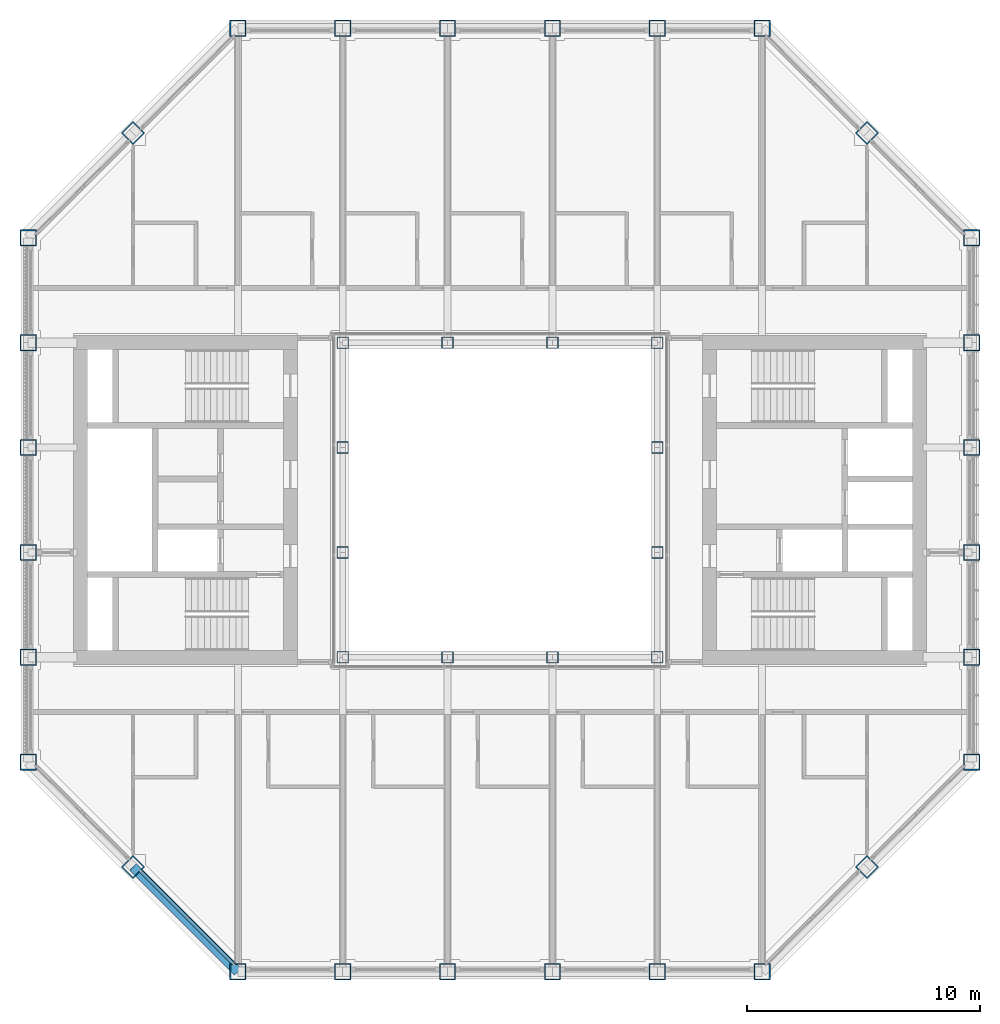
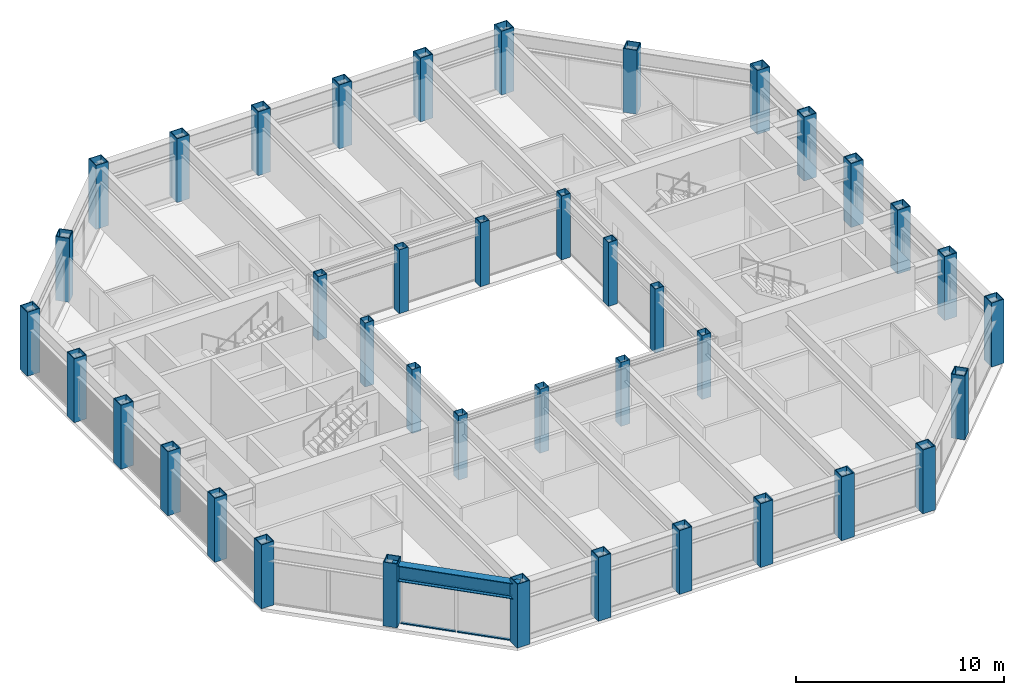
# One storey, part 1 of 18: 40 columns, 4 members, 1 beam, 1 element without a shape of its own.
"""IFC4 building model written with IfcOpenShell, lengths in metres."""

from ifc_helpers import new_model, si_unit, direction, frame, origin, origin_2d, place, context, subcontext, project, spatial, rectangle, hollow_rectangle, i_section, extrude, material, material_profile, profile_set, type_object, element, aggregate, save


model = new_model("IFC4")

# Units and contexts
model_context = context("Model", 3, precision=1e-05, world=origin(), true_north=direction((0.0, 1.0)))
body_context = subcontext(model_context, "Body", "Model", "MODEL_VIEW")
ifc_project = project(units=[si_unit("LENGTHUNIT", "METRE"), si_unit("AREAUNIT", "SQUARE_METRE"), si_unit("VOLUMEUNIT", "CUBIC_METRE"), si_unit("PLANEANGLEUNIT", "RADIAN"), si_unit("MASSUNIT", "GRAM", prefix="KILO")], contexts=[model_context])

# Site, building, storey
site_placement = place(None, origin())
site = spatial("IfcSite", under=ifc_project, at=site_placement, CompositionType="ELEMENT")
building_placement = place(site_placement, origin())
building = spatial("IfcBuilding", under=site, at=building_placement, Name="Msasa Ring Tower", CompositionType="ELEMENT")
storey_placement = place(building_placement, frame((0.0, 0.0, 204.550048828125)))
storey = spatial("IfcBuildingStorey", under=building, at=storey_placement, Name="L53", CompositionType="ELEMENT", Elevation=204.550048828125)

# Columns
ifc_material_1 = material(Name="Steel S355", Category="steel")
ifc_material_profile_1 = material_profile(ifc_material_1, hollow_rectangle(XDim=0.5, YDim=0.5, WallThickness=0.030029296875, at=origin_2d()), Name="BOX 500x500x30")
ifc_profile_set_1 = profile_set([ifc_material_profile_1], Name="Steel S355")
column_type_1 = type_object("IfcColumnType", Name="IC6 BOX 500x500x30", PredefinedType="COLUMN", material=ifc_profile_set_1)
for number, where, z_axis, x_axis, name in (
    (1, (-6.75, -6.75, 0.0), (0.0, 0.0, 1.0), (1.0, 0.0, 0.0), "Inner ring column IR-6.75-6.75 L53"),
    (2, (-6.75, -2.25, 0.0), (0.0, 0.0, 1.0), (1.0, 0.0, 0.0), "Inner ring column IR-6.75-2.25 L53"),
    (3, (-6.75, 2.25, 0.0), (0.0, 0.0, 1.0), (1.0, 0.0, 0.0), "Inner ring column IR-6.75+2.25 L53"),
    (4, (-6.75, 6.75, 0.0), (0.0, 0.0, 1.0), (1.0, 0.0, 0.0), "Inner ring column IR-6.75+6.75 L53"),
    (5, (-2.25, -6.75, 0.0), (0.0, 0.0, 1.0), (1.0, 0.0, 0.0), "Inner ring column IR-2.25-6.75 L53"),
    (6, (-2.25, 6.75, 0.0), (0.0, 0.0, 1.0), (1.0, 0.0, 0.0), "Inner ring column IR-2.25+6.75 L53"),
    (7, (2.25, -6.75, 0.0), (0.0, 0.0, 1.0), (1.0, 0.0, 0.0), "Inner ring column IR+2.25-6.75 L53"),
    (8, (2.25, 6.75, 0.0), (0.0, 0.0, 1.0), (1.0, 0.0, 0.0), "Inner ring column IR+2.25+6.75 L53"),
    (9, (6.75, -6.75, 0.0), (0.0, 0.0, 1.0), (1.0, 0.0, 0.0), "Inner ring column IR+6.75-6.75 L53"),
    (10, (6.75, -2.25, 0.0), (0.0, 0.0, 1.0), (1.0, 0.0, 0.0), "Inner ring column IR+6.75-2.25 L53"),
    (11, (6.75, 2.25, 0.0), (0.0, 0.0, 1.0), (1.0, 0.0, 0.0), "Inner ring column IR+6.75+2.25 L53"),
    (12, (6.75, 6.75, 0.0), (0.0, 0.0, 1.0), (1.0, 0.0, 0.0), "Inner ring column IR+6.75+6.75 L53"),
):
    element("IfcColumn", number, at=place(storey_placement, frame(where, z_axis=z_axis, x_axis=x_axis)), inside=storey, type_object=column_type_1, Name=name, PredefinedType="COLUMN", context=body_context, shape_type="SweptSolid", body=[
        extrude(hollow_rectangle(XDim=0.5, YDim=0.5, WallThickness=0.030029296875, at=origin_2d()), origin(), (0.0, 0.0, 1.0), 3.75),
    ])
ifc_material_2 = material(Name="Steel S355", Category="steel")
ifc_material_profile_2 = material_profile(ifc_material_2, hollow_rectangle(XDim=0.699951171875, YDim=0.699951171875, WallThickness=0.044921875, at=origin_2d()), Name="BOX 700x700x45")
ifc_profile_set_2 = profile_set([ifc_material_profile_2], Name="Steel S355")
column_type_2 = type_object("IfcColumnType", Name="TC6 BOX 700x700x45", PredefinedType="COLUMN", material=ifc_profile_set_2)
for number, where, z_axis, x_axis, name in (
    (13, (-11.25, -20.25, 0.0), (0.0, 0.0, 1.0), (0.0, 1.0, 0.0), "Tube column S-11.25 L53"),
    (14, (-11.25, 20.25, 0.0), (0.0, 0.0, 1.0), (0.0, 1.0, 0.0), "Tube column N-11.25 L53"),
    (15, (20.25, -11.25, 0.0), (0.0, 0.0, 1.0), (1.0, 0.0, 0.0), "Tube column E-11.25 L53"),
    (16, (-20.25, -11.25, 0.0), (0.0, 0.0, 1.0), (1.0, 0.0, 0.0), "Tube column W-11.25 L53"),
    (17, (-6.75, -20.25, 0.0), (0.0, 0.0, 1.0), (0.0, 1.0, 0.0), "Tube column S-6.75 L53"),
    (18, (-6.75, 20.25, 0.0), (0.0, 0.0, 1.0), (0.0, 1.0, 0.0), "Tube column N-6.75 L53"),
    (19, (20.25, -6.75, 0.0), (0.0, 0.0, 1.0), (1.0, 0.0, 0.0), "Tube column E-6.75 L53"),
    (20, (-20.25, -6.75, 0.0), (0.0, 0.0, 1.0), (1.0, 0.0, 0.0), "Tube column W-6.75 L53"),
    (21, (-2.25, -20.25, 0.0), (0.0, 0.0, 1.0), (0.0, 1.0, 0.0), "Tube column S-2.25 L53"),
    (22, (-2.25, 20.25, 0.0), (0.0, 0.0, 1.0), (0.0, 1.0, 0.0), "Tube column N-2.25 L53"),
    (23, (20.25, -2.25, 0.0), (0.0, 0.0, 1.0), (1.0, 0.0, 0.0), "Tube column E-2.25 L53"),
    (24, (-20.25, -2.25, 0.0), (0.0, 0.0, 1.0), (1.0, 0.0, 0.0), "Tube column W-2.25 L53"),
    (25, (2.25, -20.25, 0.0), (0.0, 0.0, 1.0), (0.0, 1.0, 0.0), "Tube column S+2.25 L53"),
    (26, (2.25, 20.25, 0.0), (0.0, 0.0, 1.0), (0.0, 1.0, 0.0), "Tube column N+2.25 L53"),
    (27, (20.25, 2.25, 0.0), (0.0, 0.0, 1.0), (1.0, 0.0, 0.0), "Tube column E+2.25 L53"),
    (28, (-20.25, 2.25, 0.0), (0.0, 0.0, 1.0), (1.0, 0.0, 0.0), "Tube column W+2.25 L53"),
    (29, (6.75, -20.25, 0.0), (0.0, 0.0, 1.0), (0.0, 1.0, 0.0), "Tube column S+6.75 L53"),
    (30, (6.75, 20.25, 0.0), (0.0, 0.0, 1.0), (0.0, 1.0, 0.0), "Tube column N+6.75 L53"),
    (31, (20.25, 6.75, 0.0), (0.0, 0.0, 1.0), (1.0, 0.0, 0.0), "Tube column E+6.75 L53"),
    (32, (-20.25, 6.75, 0.0), (0.0, 0.0, 1.0), (1.0, 0.0, 0.0), "Tube column W+6.75 L53"),
    (33, (11.25, -20.25, 0.0), (0.0, 0.0, 1.0), (0.0, 1.0, 0.0), "Tube column S+11.25 L53"),
    (34, (11.25, 20.25, 0.0), (0.0, 0.0, 1.0), (0.0, 1.0, 0.0), "Tube column N+11.25 L53"),
    (35, (20.25, 11.25, 0.0), (0.0, 0.0, 1.0), (1.0, 0.0, 0.0), "Tube column E+11.25 L53"),
    (36, (-20.25, 11.25, 0.0), (0.0, 0.0, 1.0), (1.0, 0.0, 0.0), "Tube column W+11.25 L53"),
    (37, (15.75, -15.75, 0.0), (0.0, 0.0, 1.0), (0.707106781187, -0.707106781187, 0.0), "Tube column SE L53"),
    (38, (15.75, 15.75, 0.0), (0.0, 0.0, 1.0), (0.707106781187, 0.707106781187, 0.0), "Tube column NE L53"),
    (39, (-15.75, 15.75, 0.0), (0.0, 0.0, 1.0), (0.707106781187, -0.707106781187, 0.0), "Tube column NW L53"),
    (40, (-15.75, -15.75, 0.0), (0.0, 0.0, 1.0), (0.707106781187, 0.707106781187, 0.0), "Tube column SW L53"),
):
    element("IfcColumn", number, at=place(storey_placement, frame(where, z_axis=z_axis, x_axis=x_axis)), inside=storey, type_object=column_type_2, Name=name, PredefinedType="COLUMN", context=body_context, shape_type="SweptSolid", body=[
        extrude(hollow_rectangle(XDim=0.699951171875, YDim=0.699951171875, WallThickness=0.044921875, at=origin_2d()), origin(), (0.0, 0.0, 1.0), 3.75),
    ])

# Curtain wall, members
ifc_material_3 = material(Name="Aluminium curtain wall with clear glass", Category="aluminium")
curtain_wall_type = type_object("IfcCurtainWallType", Name="CW-C CHAMFER CORNER CURTAIN WALL", PredefinedType="NOTDEFINED", material=ifc_material_3)
curtain_wall_placement = place(storey_placement, origin())
curtain_wall = element("IfcCurtainWall", 41, at=curtain_wall_placement, inside=storey, type_object=curtain_wall_type, Name="Chamfer corner curtain wall SW L53", PredefinedType="NOTDEFINED")
ifc_material_4 = material(Name="Aluminium transom", Category="aluminium")
ifc_material_profile_3 = material_profile(ifc_material_4, rectangle(XDim=0.139892578125, YDim=0.06494140625, at=origin_2d()), Name="AL 65x140")
ifc_profile_set_3 = profile_set([ifc_material_profile_3], Name="Aluminium transom")
member_type = type_object("IfcMemberType", Name="CW-C TRANSOM 65x140", PredefinedType="USERDEFINED", material=ifc_profile_set_3)
member_1_placement = place(storey_placement, frame((-15.38232421875, -15.976318359375, 0.032470703125), z_axis=(0.707106781187, -0.707106781187, 0.0), x_axis=(0.707106781187, 0.707106781187, 0.0)))
member_1 = element("IfcMember", 42, at=member_1_placement, type_object=member_type, Name="CW-C transom 1.1", ObjectType="TRANSOM", PredefinedType="USERDEFINED", context=body_context, shape_type="SweptSolid", body=[
    extrude(rectangle(XDim=0.139892578125, YDim=0.06494140625, at=origin_2d()), origin(), (0.0, 0.0, 1.0), 2.729248046875),
])
member_2_placement = place(storey_placement, frame((-15.38232421875, -15.976318359375, 2.596435546875), z_axis=(0.707106781187, -0.707106781187, 0.0), x_axis=(0.707106781187, 0.707106781187, 0.0)))
member_2 = element("IfcMember", 43, at=member_2_placement, type_object=member_type, Name="CW-C transom 1.2", ObjectType="TRANSOM", PredefinedType="USERDEFINED", context=body_context, shape_type="SweptSolid", body=[
    extrude(rectangle(XDim=0.139892578125, YDim=0.06494140625, at=origin_2d()), origin(), (0.0, 0.0, 1.0), 2.729248046875),
])
member_3_placement = place(storey_placement, frame((-13.40625, -17.952392578125, 0.032470703125), z_axis=(0.707106781187, -0.707106781187, 0.0), x_axis=(0.707106781187, 0.707106781187, 0.0)))
member_3 = element("IfcMember", 44, at=member_3_placement, type_object=member_type, Name="CW-C transom 2.1", ObjectType="TRANSOM", PredefinedType="USERDEFINED", context=body_context, shape_type="SweptSolid", body=[
    extrude(rectangle(XDim=0.139892578125, YDim=0.06494140625, at=origin_2d()), origin(), (0.0, 0.0, 1.0), 2.729248046875),
])
member_4_placement = place(storey_placement, frame((-13.40625, -17.952392578125, 2.596435546875), z_axis=(0.707106781187, -0.707106781187, 0.0), x_axis=(0.707106781187, 0.707106781187, 0.0)))
member_4 = element("IfcMember", 45, at=member_4_placement, type_object=member_type, Name="CW-C transom 2.2", ObjectType="TRANSOM", PredefinedType="USERDEFINED", context=body_context, shape_type="SweptSolid", body=[
    extrude(rectangle(XDim=0.139892578125, YDim=0.06494140625, at=origin_2d()), origin(), (0.0, 0.0, 1.0), 2.729248046875),
])
aggregate(curtain_wall, [member_1, member_2, member_3, member_4])

# Beam
ifc_material_5 = material(Name="Steel S355", Category="steel")
ifc_material_profile_4 = material_profile(ifc_material_5, i_section(OverallWidth=0.42041015625, OverallDepth=0.9208984375, WebThickness=0.021484375, FlangeThickness=0.03662109375, FilletRadius=0.024169921875, at=origin_2d()), Name="UB 914x419x388")
ifc_profile_set_4 = profile_set([ifc_material_profile_4], Name="Steel S355")
beam_type = type_object("IfcBeamType", Name="SB1 UB 914x419x388", PredefinedType="SPANDREL", material=ifc_profile_set_4)
beam_placement = place(storey_placement, frame((-15.75, -15.75, 3.08935546875), z_axis=(0.707106781187, -0.707106781187, 0.0), x_axis=(0.707106781187, 0.707106781187, 0.0)))
element("IfcBeam", 46, at=beam_placement, inside=storey, type_object=beam_type, Name="Spandrel SW to S-11.25 under L54", PredefinedType="SPANDREL", context=body_context, shape_type="SweptSolid", body=[
    extrude(i_section(OverallWidth=0.42041015625, OverallDepth=0.9208984375, WebThickness=0.021484375, FlangeThickness=0.03662109375, FilletRadius=0.024169921875, at=origin_2d()), origin(), (0.0, 0.0, 1.0), 6.364013671875),
])

save(model, "model.ifc")
